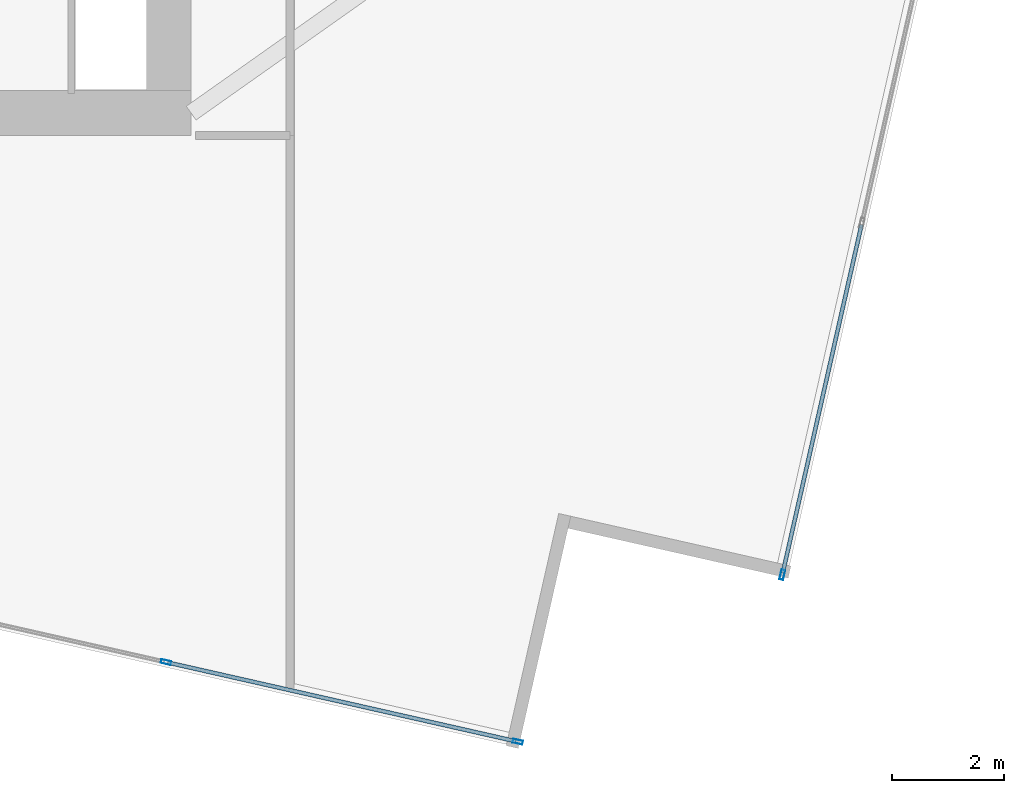
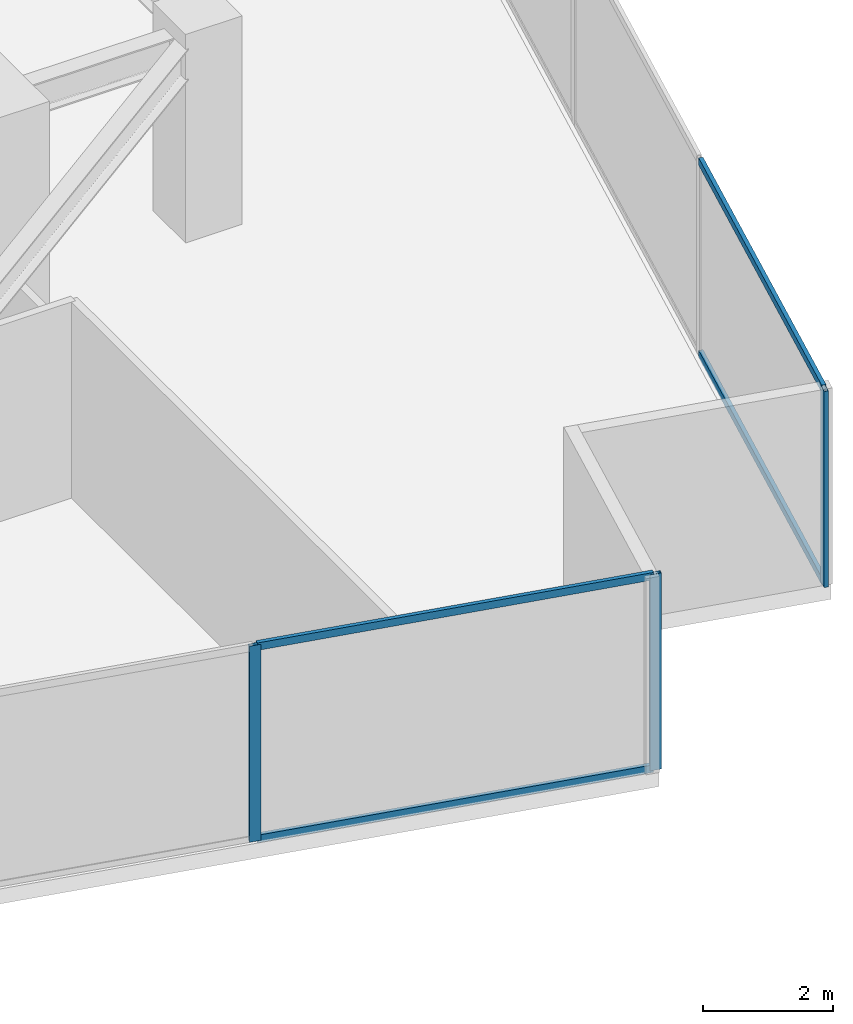
# One storey, part 10 of 27: 7 members, 2 elements without a shape of their own.
"""IFC4 building model written with IfcOpenShell, lengths in metres."""

import ifcopenshell
import ifcopenshell.guid

model = None  # the IFC model being written
_history = None  # IfcOwnerHistory: only IFC2X3 demands one
_inside = {}  # id of a spatial element -> (the spatial element, [elements in it])
_under = {}  # id of a project, library or spatial element -> (it, [spatial elements below it])
_declared = {}  # id of a project -> (the project, [libraries it declares])
_typed = {}  # id of a type object -> (the type object, [elements of that type])
_made_of = {}  # id of a material, layer set ... -> (it, [elements and type objects made of it])


def new_model(schema):
    """Start an empty IFC model of exactly this schema.

    Asked for "IFC4X3", IfcOpenShell would pick the latest addendum, in which some entities
    have other attributes; the version numbers below select the first issue.
    IFC2X3 requires an IfcOwnerHistory on every rooted entity: one is made here for all.
    """
    global model, _history
    if schema == "IFC4X3":
        model = ifcopenshell.file(schema_version=(4, 3, 0, 0))
    else:
        model = ifcopenshell.file(schema=schema)
    _inside.clear()
    _under.clear()
    _declared.clear()
    _typed.clear()
    _made_of.clear()
    _history = None
    if model.schema == "IFC2X3":
        org = make("IfcOrganization", Name="unknown")
        user = make(
            "IfcPersonAndOrganization",
            ThePerson=make("IfcPerson", FamilyName="unknown"),
            TheOrganization=org,
        )
        app = make(
            "IfcApplication",
            ApplicationDeveloper=org,
            Version="unknown",
            ApplicationFullName="unknown",
            ApplicationIdentifier="unknown",
        )
        _history = make(
            "IfcOwnerHistory",
            OwningUser=user,
            OwningApplication=app,
            ChangeAction="ADDED",
            CreationDate=0,
        )
    return model


def make(cls, **values):
    """One entity of the class cls with the attributes given. An attribute that is None is left unset."""
    return model.create_entity(
        cls, **{name: value for name, value in values.items() if value is not None}
    )


def rooted(cls, **values):
    """An entity with a GlobalId (a new one), such as an element, a storey or a relation."""
    return make(cls, GlobalId=ifcopenshell.guid.new(), OwnerHistory=_history, **values)


def si_unit(unit_type, name, prefix=None):
    """IfcSIUnit, for example si_unit("LENGTHUNIT", "METRE", prefix="MILLI")."""
    return make("IfcSIUnit", UnitType=unit_type, Prefix=prefix, Name=name)


def assignment(units):
    """IfcUnitAssignment: the units of a project."""
    return None if units is None else make("IfcUnitAssignment", Units=units)


def point(xyz):
    """IfcCartesianPoint."""
    return None if xyz is None else make("IfcCartesianPoint", Coordinates=xyz)


def direction(xyz):
    """IfcDirection."""
    return None if xyz is None else make("IfcDirection", DirectionRatios=xyz)


def frame(location, z_axis=None, x_axis=None):
    """IfcAxis2Placement3D, a coordinate frame: its origin and axes. An axis left out is left unset."""
    return make(
        "IfcAxis2Placement3D",
        Location=point(location),
        Axis=direction(z_axis),
        RefDirection=direction(x_axis),
    )


def frame_2d(location, x_axis=None):
    """IfcAxis2Placement2D, a coordinate frame in the plane: its origin and x axis."""
    return make(
        "IfcAxis2Placement2D", Location=point(location), RefDirection=direction(x_axis)
    )


def origin():
    """The frame at (0, 0, 0) with its axes left unset."""
    return frame((0.0, 0.0, 0.0))


def origin_2d():
    """The frame at (0, 0) in the plane with its x axis left unset."""
    return frame_2d((0.0, 0.0))


def place(relative_to, where):
    """IfcLocalPlacement: puts the frame where relative to a parent placement (None: the world)."""
    return make(
        "IfcLocalPlacement", PlacementRelTo=relative_to, RelativePlacement=where
    )


def context(
    kind, dimensions, precision=None, world=None, true_north=None, identifier=None
):
    """IfcGeometricRepresentationContext, for example the 3D "Model" context."""
    return make(
        "IfcGeometricRepresentationContext",
        ContextIdentifier=identifier,
        ContextType=kind,
        CoordinateSpaceDimension=dimensions,
        Precision=precision,
        WorldCoordinateSystem=world,
        TrueNorth=true_north,
    )


def subcontext(parent, identifier, kind, view, scale=None):
    """IfcGeometricRepresentationSubContext, for example "Body" below "Model"."""
    return make(
        "IfcGeometricRepresentationSubContext",
        ContextIdentifier=identifier,
        ContextType=kind,
        ParentContext=parent,
        TargetScale=scale,
        TargetView=view,
    )


def project(units=None, contexts=None):
    """IfcProject with its units and contexts."""
    return rooted(
        "IfcProject",
        Name="project",
        RepresentationContexts=contexts,
        UnitsInContext=assignment(units),
    )


def spatial(cls, under=None, at=None, **own):
    """A site, building, storey or space (cls), placed at a placement, below another one or the project."""
    s = rooted(cls, ObjectPlacement=at, **own)
    if under is not None:
        _under.setdefault(under.id(), (under, []))[1].append(s)
    return s


def profile(cls, at=None, kind="AREA", **sizes):
    """A parametric profile (cls). Its sizes go by their IFC names, for example OverallWidth=200.0."""
    return make(cls, ProfileType=kind, Position=at, **sizes)


def hollow_rectangle(**sizes):
    """IfcRectangleHollowProfileDef."""
    return profile("IfcRectangleHollowProfileDef", **sizes)


def extrude(swept, where, along, depth):
    """IfcExtrudedAreaSolid: the profile swept, set in the frame where, extruded along a direction by depth."""
    return make(
        "IfcExtrudedAreaSolid",
        SweptArea=swept,
        Position=where,
        ExtrudedDirection=direction(along),
        Depth=depth,
    )


def shape(context_of_items, identifier, shape_type, items):
    """IfcShapeRepresentation: the items that make up one representation, for example the "Body"."""
    return make(
        "IfcShapeRepresentation",
        ContextOfItems=context_of_items,
        RepresentationIdentifier=identifier,
        RepresentationType=shape_type,
        Items=items,
    )


def source(mapping_origin, context_of_items, identifier, shape_type, items):
    """IfcRepresentationMap: a shape defined once, which mapped items show again and again."""
    return make(
        "IfcRepresentationMap",
        MappingOrigin=mapping_origin,
        MappedRepresentation=shape(context_of_items, identifier, shape_type, items),
    )


def transform(
    local_origin,
    x_axis=None,
    y_axis=None,
    z_axis=None,
    scale=None,
    scale2=None,
    scale3=None,
    uniform=True,
):
    """IfcCartesianTransformationOperator3D, or its non-uniform kind. x_axis, y_axis, z_axis: its Axis1, 2, 3."""
    if uniform:
        return make(
            "IfcCartesianTransformationOperator3D",
            Axis1=direction(x_axis),
            Axis2=direction(y_axis),
            LocalOrigin=point(local_origin),
            Scale=scale,
            Axis3=direction(z_axis),
        )
    return make(
        "IfcCartesianTransformationOperator3DnonUniform",
        Axis1=direction(x_axis),
        Axis2=direction(y_axis),
        LocalOrigin=point(local_origin),
        Scale=scale,
        Axis3=direction(z_axis),
        Scale2=scale2,
        Scale3=scale3,
    )


def mapped(mapping_source, mapping_target):
    """IfcMappedItem: shows the shape of a source again, moved by a transform."""
    return make(
        "IfcMappedItem", MappingSource=mapping_source, MappingTarget=mapping_target
    )


def material(Name=None, Category=None):
    """IfcMaterial."""
    return make("IfcMaterial", Name=Name, Category=Category)


def material_profile(
    of_material, cross_section, Name=None, Category=None, Priority=None
):
    """IfcMaterialProfile: a cross section and its material."""
    return make(
        "IfcMaterialProfile",
        Name=Name,
        Material=of_material,
        Profile=cross_section,
        Priority=Priority,
        Category=Category,
    )


def profile_set(profiles, Name=None, composite=None):
    """IfcMaterialProfileSet."""
    return make(
        "IfcMaterialProfileSet",
        Name=Name,
        MaterialProfiles=profiles,
        CompositeProfile=composite,
    )


def made_of(thing, what):
    """Note that an element or type object is made of a material, layer set ...; save() writes the relation."""
    if what is not None:
        _made_of.setdefault(what.id(), (what, []))[1].append(thing)
    return thing


def type_object(cls, material=None, **own):
    """A type object (cls), such as IfcWallType, which elements share."""
    return made_of(rooted(cls, **own), material)


def type_shapes(of_type, sources):
    """Give a type object the sources (RepresentationMaps) that its elements show as mapped items."""
    of_type.RepresentationMaps = sources


def element(
    cls,
    number,
    at=None,
    inside=None,
    cuts=None,
    type_object=None,
    material=None,
    context=None,
    identifier="Body",
    shape_type=None,
    held_by="IfcProductDefinitionShape",
    body=None,
    shapes=None,
    **own,
):
    """One element of the class cls, such as IfcWall. Its Tag is "e" and its number.

    at: its placement. inside: the storey or other place that contains it. cuts: it is an
    opening in that element (IfcRelVoidsElement). A single representation is given by context,
    identifier, shape_type and body (its items); several are given by shapes. held_by: the class
    of the entity that holds the representations. save() writes the other relations.
    """
    e = rooted(cls, Tag="e%d" % number, ObjectPlacement=at, **own)
    if body is not None:
        shapes = [shape(context, identifier, shape_type, body)]
    if shapes is not None:
        e.Representation = make(held_by, Representations=shapes)
    if inside is not None:
        _inside.setdefault(inside.id(), (inside, []))[1].append(e)
    if cuts is not None:
        rooted(
            "IfcRelVoidsElement", RelatingBuildingElement=cuts, RelatedOpeningElement=e
        )
    if type_object is not None:
        _typed.setdefault(type_object.id(), (type_object, []))[1].append(e)
    return made_of(e, material)


def aggregate(whole, parts):
    """IfcRelAggregates: a whole, such as a stair, and the parts it consists of."""
    return rooted("IfcRelAggregates", RelatingObject=whole, RelatedObjects=parts)


def save(model, path):
    """Write the relations noted so far, then the file.

    IfcRelAggregates (storeys below a building ...), IfcRelContainedInSpatialStructure (elements
    in a storey), IfcRelDefinesByType, IfcRelAssociatesMaterial and IfcRelDeclares: one each for
    every whole, place, type object, material and project.
    """
    for whole, parts in _under.values():
        aggregate(whole, parts)
    for where, things in _inside.values():
        rooted(
            "IfcRelContainedInSpatialStructure",
            RelatedElements=things,
            RelatingStructure=where,
        )
    for kind, things in _typed.values():
        rooted("IfcRelDefinesByType", RelatedObjects=things, RelatingType=kind)
    for what, things in _made_of.values():
        rooted("IfcRelAssociatesMaterial", RelatedObjects=things, RelatingMaterial=what)
    for by, libraries in _declared.values():
        rooted("IfcRelDeclares", RelatingContext=by, RelatedDefinitions=libraries)
    model.write(path)


model = new_model("IFC4")

# Units and contexts
model_context = context("Model", 3, precision=1e-05, world=origin(), true_north=direction((0.0, 1.0)))
body_context = subcontext(model_context, "Body", "Model", "MODEL_VIEW")
ifc_project = project(units=[si_unit("LENGTHUNIT", "METRE"), si_unit("AREAUNIT", "SQUARE_METRE"), si_unit("VOLUMEUNIT", "CUBIC_METRE"), si_unit("PLANEANGLEUNIT", "RADIAN"), si_unit("MASSUNIT", "GRAM", prefix="KILO")], contexts=[model_context])

# Site, building, storey
site_placement = place(None, origin())
site = spatial("IfcSite", under=ifc_project, at=site_placement, CompositionType="ELEMENT")
building_placement = place(site_placement, origin())
building = spatial("IfcBuilding", under=site, at=building_placement, Name="Krantzveldt Concourse Tower", CompositionType="ELEMENT")
storey_placement = place(building_placement, frame((0.0, 0.0, 86.10009765625)))
storey = spatial("IfcBuildingStorey", under=building, at=storey_placement, Name="L20", CompositionType="ELEMENT", Elevation=86.10009765625)

# Curtain wall, members
ifc_material = material(Name="Anodised aluminium 6063-T6", Category="aluminium")
curtain_wall_type = type_object("IfcCurtainWallType", Name="CW2", PredefinedType="USERDEFINED", material=ifc_material)
curtain_wall_1_placement = place(storey_placement, origin())
curtain_wall_1 = element("IfcCurtainWall", 1, at=curtain_wall_1_placement, inside=storey, type_object=curtain_wall_type, Name="CW-L20-F04", ObjectType="UNITISED CURTAIN WALL", PredefinedType="USERDEFINED")
ifc_material_profile_1 = material_profile(ifc_material, hollow_rectangle(XDim=0.070068359375, YDim=0.179931640625, WallThickness=0.0048828125, at=origin_2d()), Name="Anodised aluminium 6063-T6", Category="aluminium")
ifc_profile_set_1 = profile_set([ifc_material_profile_1], Name="Anodised aluminium 6063-T6 - ALU-MULL 180x70x5")
member_type_1 = type_object("IfcMemberType", Name="CW-MUL-180", PredefinedType="MULLION", material=ifc_profile_set_1)
shared_shape_1 = source(origin(), body_context, "Body", "SweptSolid", [
    extrude(hollow_rectangle(XDim=0.070068359375, YDim=0.179931640625, WallThickness=0.0048828125, at=origin_2d()), origin(), (0.0, 0.0, 1.0), 3.669921875),
])
type_shapes(member_type_1, [shared_shape_1])
member_1_placement = place(storey_placement, frame((43.469970703125, 1.1103515625, 0.0), z_axis=(0.0, 0.0, 1.0), x_axis=(0.220697434579, 0.975342320609, 0.0)))
member_1 = element("IfcMember", 2, at=member_1_placement, type_object=member_type_1, Name="CW-Z12 mullion 6", PredefinedType="MULLION", context=body_context, shape_type="MappedRepresentation", body=[
    mapped(shared_shape_1, transform((0.0, 0.0, 0.0), x_axis=(1.0, 0.0, 0.0), y_axis=(0.0, 1.0, 0.0), z_axis=(0.0, 0.0, 1.0), scale=1.0)),
])
member_2_placement = place(storey_placement, frame((49.7431640625, -0.30908203125, 0.0), z_axis=(0.0, 0.0, 1.0), x_axis=(0.220697434579, 0.975342320609, 0.0)))
member_2 = element("IfcMember", 3, at=member_2_placement, type_object=member_type_1, Name="CW-Z12 mullion 7", PredefinedType="MULLION", context=body_context, shape_type="MappedRepresentation", body=[
    mapped(shared_shape_1, transform((0.0, 0.0, 0.0), x_axis=(1.0, 0.0, 0.0), y_axis=(0.0, 1.0, 0.0), z_axis=(0.0, 0.0, 1.0), scale=1.0)),
])

curtain_wall_2_placement = place(storey_placement, origin())
curtain_wall_2 = element("IfcCurtainWall", 4, at=curtain_wall_2_placement, inside=storey, type_object=curtain_wall_type, Name="CW-L20-F07", ObjectType="UNITISED CURTAIN WALL", PredefinedType="USERDEFINED")
member_3_placement = place(storey_placement, frame((54.46142578125, 2.66796875, 0.0), z_axis=(0.0, 0.0, 1.0), x_axis=(-0.975342320609, 0.220697434579, 0.0)))
member_3 = element("IfcMember", 5, at=member_3_placement, type_object=member_type_1, Name="CW-Z12 mullion 1", PredefinedType="MULLION", context=body_context, shape_type="MappedRepresentation", body=[
    mapped(shared_shape_1, transform((0.0, 0.0, 0.0), x_axis=(1.0, 0.0, 0.0), y_axis=(0.0, 1.0, 0.0), z_axis=(0.0, 0.0, 1.0), scale=1.0)),
])
ifc_material_profile_2 = material_profile(ifc_material, hollow_rectangle(XDim=0.070068359375, YDim=0.139892578125, WallThickness=0.0048828125, at=origin_2d()), Name="Anodised aluminium 6063-T6", Category="aluminium")
ifc_profile_set_2 = profile_set([ifc_material_profile_2], Name="Anodised aluminium 6063-T6 - ALU-TRAN 140x70x5")
member_type_2 = type_object("IfcMemberType", Name="CW-TRN-150", PredefinedType="USERDEFINED", material=ifc_profile_set_2)
shared_shape_2 = source(origin(), body_context, "Body", "SweptSolid", [
    extrude(hollow_rectangle(XDim=0.070068359375, YDim=0.139892578125, WallThickness=0.0048828125, at=origin_2d()), origin(), (0.0, 0.0, 1.0), 6.361572265625),
])
member_4_placement = place(storey_placement, frame((54.46923828125, 2.7021484375, 0.034912109375), z_axis=(0.220667229594, 0.975349154807, 0.0), x_axis=(-0.975349154807, 0.220667229594, 0.0)))
member_4 = element("IfcMember", 6, at=member_4_placement, type_object=member_type_2, Name="CW-Z12 transom 1.1", ObjectType="TRANSOM", PredefinedType="USERDEFINED", context=body_context, shape_type="MappedRepresentation", body=[
    mapped(shared_shape_2, transform((0.0, 0.0, 0.0), x_axis=(1.0, 0.0, 0.0), y_axis=(0.0, 1.0, 0.0), z_axis=(0.0, 0.0, 1.0), scale=1.0)),
])
member_5_placement = place(storey_placement, frame((54.46923828125, 2.7021484375, 3.635009765625), z_axis=(0.220667229594, 0.975349154807, 0.0), x_axis=(-0.975349154807, 0.220667229594, 0.0)))
member_5 = element("IfcMember", 7, at=member_5_placement, type_object=member_type_2, Name="CW-Z12 transom 1.2", ObjectType="TRANSOM", PredefinedType="USERDEFINED", context=body_context, shape_type="MappedRepresentation", body=[
    mapped(shared_shape_2, transform((0.0, 0.0, 0.0), x_axis=(1.0, 0.0, 0.0), y_axis=(0.0, 1.0, 0.0), z_axis=(0.0, 0.0, 1.0), scale=1.0)),
])
aggregate(curtain_wall_2, [member_3, member_4, member_5])

# Member
shared_shape_3 = source(origin(), body_context, "Body", "SweptSolid", [
    extrude(hollow_rectangle(XDim=0.070068359375, YDim=0.139892578125, WallThickness=0.0048828125, at=origin_2d()), origin(), (0.0, 0.0, 1.0), 6.36181640625),
])
type_shapes(member_type_2, [shared_shape_2, shared_shape_3])
member_6_placement = place(storey_placement, frame((43.504150390625, 1.102783203125, 0.034912109375), z_axis=(0.975340894424, -0.220703737314, 0.0), x_axis=(0.220703737314, 0.975340894424, 0.0)))
member_6 = element("IfcMember", 8, at=member_6_placement, type_object=member_type_2, Name="CW-Z12 transom 6.1", ObjectType="TRANSOM", PredefinedType="USERDEFINED", context=body_context, shape_type="MappedRepresentation", body=[
    mapped(shared_shape_3, transform((0.0, 0.0, 0.0), x_axis=(1.0, 0.0, 0.0), y_axis=(0.0, 1.0, 0.0), z_axis=(0.0, 0.0, 1.0), scale=1.0)),
])

member_7_placement = place(storey_placement, frame((43.504150390625, 1.102783203125, 3.635009765625), z_axis=(0.975340894424, -0.220703737314, 0.0), x_axis=(0.220703737314, 0.975340894424, 0.0)))
member_7 = element("IfcMember", 9, at=member_7_placement, type_object=member_type_2, Name="CW-Z12 transom 6.2", ObjectType="TRANSOM", PredefinedType="USERDEFINED", context=body_context, shape_type="MappedRepresentation", body=[
    mapped(shared_shape_3, transform((0.0, 0.0, 0.0), x_axis=(1.0, 0.0, 0.0), y_axis=(0.0, 1.0, 0.0), z_axis=(0.0, 0.0, 1.0), scale=1.0)),
])

aggregate(curtain_wall_1, [member_1, member_2, member_6, member_7])

save(model, "model.ifc")
